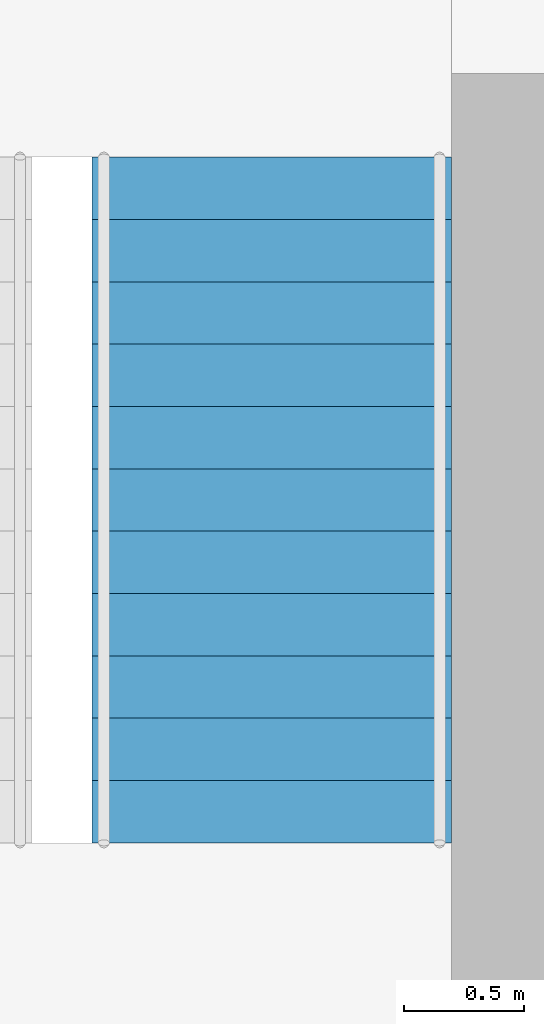
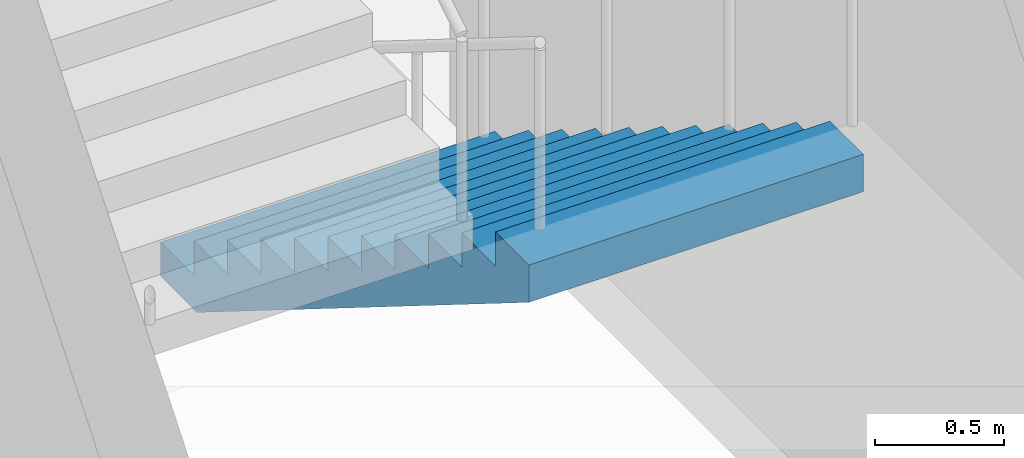
# One storey, part 12 of 13: 1 stair flight, 1 element without a shape of its own.
"""IFC4 building model written with IfcOpenShell, lengths in metres."""

from ifc_helpers import new_model, si_unit, direction, frame, origin, place, context, subcontext, project, spatial, polyline, outline, extrude, material, type_object, element, aggregate, save


model = new_model("IFC4")

# Units and contexts
model_context = context("Model", 3, precision=1e-05, world=origin(), true_north=direction((0.0, 1.0)))
body_context = subcontext(model_context, "Body", "Model", "MODEL_VIEW")
ifc_project = project(units=[si_unit("LENGTHUNIT", "METRE"), si_unit("AREAUNIT", "SQUARE_METRE"), si_unit("VOLUMEUNIT", "CUBIC_METRE"), si_unit("PLANEANGLEUNIT", "RADIAN"), si_unit("MASSUNIT", "GRAM", prefix="KILO")], contexts=[model_context])

# Site, building, storey
site_placement = place(None, origin())
site = spatial("IfcSite", under=ifc_project, at=site_placement, CompositionType="ELEMENT")
building_placement = place(site_placement, origin())
building = spatial("IfcBuilding", under=site, at=building_placement, Name="Highveld Stack Headquarters", CompositionType="ELEMENT")
storey_placement = place(building_placement, frame((0.0, 0.0, 136.699951171875)))
storey = spatial("IfcBuildingStorey", under=building, at=storey_placement, Name="L33", CompositionType="ELEMENT", Elevation=136.699951171875)

# Stair, stair flight
ifc_material_1 = material(Name="Concrete C40/50, precast", Category="concrete")
stair_type = type_object("IfcStairType", Name="STAIR S2 HALF TURN 1500", PredefinedType="HALF_TURN_STAIR", material=ifc_material_1)
stair_placement = place(storey_placement, origin())
stair = element("IfcStair", 1, at=stair_placement, inside=storey, type_object=stair_type, Name="Stair S2 L33", PredefinedType="HALF_TURN_STAIR")
ifc_material_2 = material(Name="Concrete C40/50, precast", Category="concrete")
stair_flight_type = type_object("IfcStairFlightType", Name="STAIR FLIGHT 1500 PRECAST", PredefinedType="STRAIGHT", material=ifc_material_2)
stair_flight_placement = place(storey_placement, frame((16.85009765625, 1.25, 0.0), z_axis=(0.0, 0.0, 1.0), x_axis=(0.0, -1.0, 0.0)))
stair_flight = element("IfcStairFlight", 2, at=stair_flight_placement, type_object=stair_flight_type, Name="S2 flight 1", NumberOfRisers=12, NumberOfTreads=11, PredefinedType="STRAIGHT", RiserHeight=0.1625, TreadLength=0.26, context=body_context, shape_type="SweptSolid", body=[
    extrude(outline(polyline([(0.0, 0.0), (0.0, 0.16259765625), (0.260009765625, 0.16259765625), (0.260009765625, 0.324951171875), (0.52001953125, 0.324951171875), (0.52001953125, 0.487548828125), (0.780029296875, 0.487548828125), (0.780029296875, 0.64990234375), (1.0400390625, 0.64990234375), (1.0400390625, 0.8125), (1.300048828125, 0.8125), (1.300048828125, 0.97509765625), (1.56005859375, 0.97509765625), (1.56005859375, 1.137451171875), (1.820068359375, 1.137451171875), (1.820068359375, 1.300048828125), (2.080078125, 1.300048828125), (2.080078125, 1.46240234375), (2.340087890625, 1.46240234375), (2.340087890625, 1.625), (2.60009765625, 1.625), (2.60009765625, 1.78759765625), (2.860107421875, 1.78759765625), (2.860107421875, 1.949951171875), (2.860107421875, 1.61083984375), (0.28271484375, 0.0), (0.0, 0.0)])), frame((0.0, 0.75, 0.0), z_axis=(0.0, -1.0, 0.0), x_axis=(1.0, 0.0, 0.0)), (0.0, 0.0, 1.0), 1.5),
])
aggregate(stair, [stair_flight])

save(model, "model.ifc")
